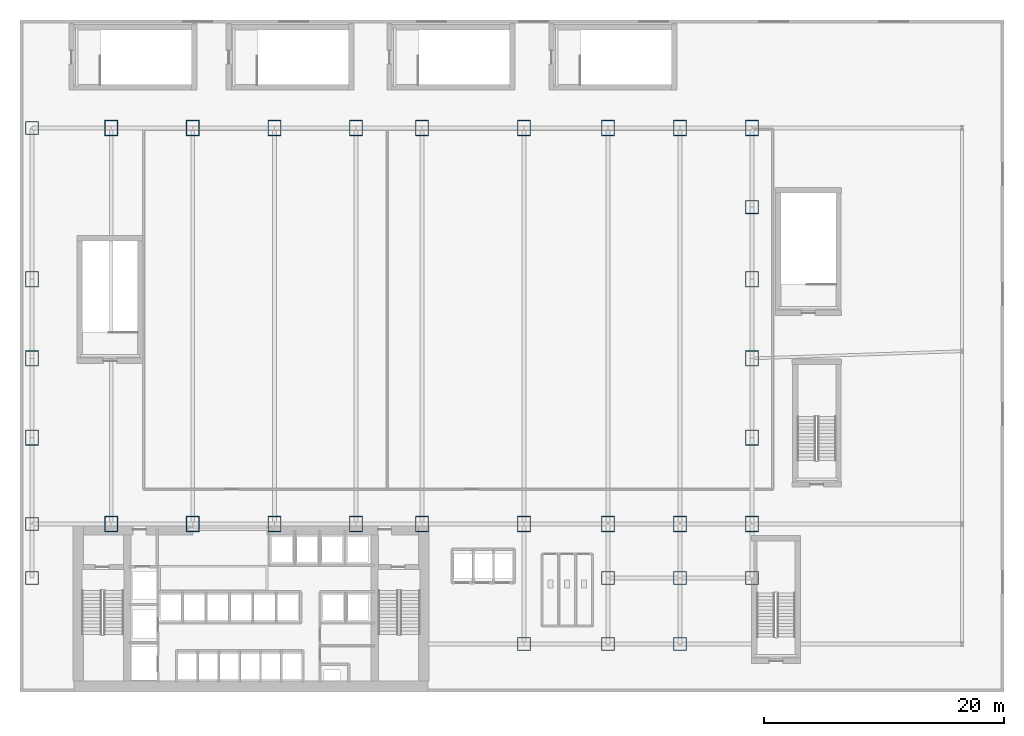
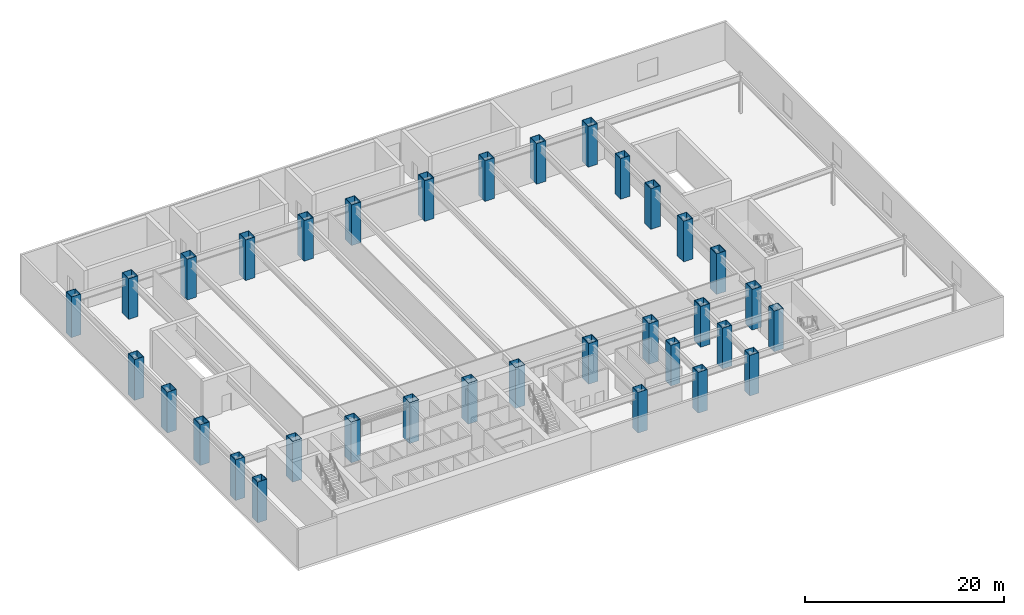
# One storey, part 1 of 14: 34 columns.
"""IFC4 building model written with IfcOpenShell, lengths in metres."""

from ifc_helpers import new_model, si_unit, derived_unit, direction, frame, origin, origin_2d, place, context, subcontext, project, spatial, hollow_rectangle, extrude, source, transform, mapped, material, material_profile, profile_set, type_object, element, save


model = new_model("IFC4")

# Units and contexts
model_context = context("Model", 3, precision=1e-05, world=origin(), true_north=direction((0.0, 1.0)))
body_context = subcontext(model_context, "Body", "Model", "MODEL_VIEW")
ifc_project = project(units=[si_unit("LENGTHUNIT", "METRE"), si_unit("AREAUNIT", "SQUARE_METRE"), si_unit("VOLUMEUNIT", "CUBIC_METRE"), si_unit("PLANEANGLEUNIT", "RADIAN"), si_unit("MASSUNIT", "GRAM", prefix="KILO"), derived_unit("THERMALTRANSMITTANCEUNIT", [(si_unit("POWERUNIT", "WATT"), 1), (si_unit("LENGTHUNIT", "METRE"), -2), (si_unit("THERMODYNAMICTEMPERATUREUNIT", "KELVIN"), -1)])], contexts=[model_context])

# Site, building, storey
site_placement = place(None, origin())
site = spatial("IfcSite", under=ifc_project, at=site_placement, CompositionType="ELEMENT")
building_placement = place(site_placement, origin())
building = spatial("IfcBuilding", under=site, at=building_placement, Name="Skarnbrae Concourse Arena and Tower", CompositionType="ELEMENT")
storey_placement = place(building_placement, frame((0.0, 0.0, 21.0)))
storey = spatial("IfcBuildingStorey", under=building, at=storey_placement, Name="L04", CompositionType="ELEMENT", Elevation=21.0)

# Columns
ifc_material = material(Name="Steel CSA G40.21 350W", Category="steel")
ifc_material_profile_1 = material_profile(ifc_material, hollow_rectangle(XDim=1.10009765625, YDim=1.10009765625, WallThickness=0.050048828125, at=origin_2d()), Name="BOX1100X1100X50")
ifc_profile_set_1 = profile_set([ifc_material_profile_1], Name="Steel CSA G40.21 350W")
column_type_1 = type_object("IfcColumnType", Name="COL-MEGA-BOX1100", PredefinedType="PILASTER", material=ifc_profile_set_1)
shared_shape_1 = source(origin(), body_context, "Body", "SweptSolid", [
    extrude(hollow_rectangle(XDim=1.10009765625, YDim=1.10009765625, WallThickness=0.050048828125, at=origin_2d()), origin(), (0.0, 0.0, 1.0), 5.0),
])
for number, where, z_axis, x_axis, name in (
    (1, (1.0, 9.5, 0.0), (0.0, 0.0, 1.0), (1.0, 0.0, 0.0), "L04 Podium mega-column MC-W0"),
    (2, (1.0, 14.0, 0.0), (0.0, 0.0, 1.0), (1.0, 0.0, 0.0), "L04 Podium mega-column MC-W1"),
    (3, (1.0, 47.0, 0.0), (0.0, 0.0, 1.0), (1.0, 0.0, 0.0), "L04 Podium mega-column MC-W6"),
    (4, (61.0, 9.5, 0.0), (0.0, 0.0, 1.0), (1.0, 0.0, 0.0), "L04 Podium mega-column MC-E0"),
    (5, (61.0, 40.39990234375, 0.0), (0.0, 0.0, 1.0), (1.0, 0.0, 0.0), "L04 Podium mega-column MC-E4"),
    (6, (49.0, 9.5, 0.0), (0.0, 0.0, 1.0), (1.0, 0.0, 0.0), "L04 Podium mega-column PC-SE8"),
    (7, (55.0, 9.5, 0.0), (0.0, 0.0, 1.0), (1.0, 0.0, 0.0), "L04 Podium mega-column PC-SE9"),
    (8, (42.0, 4.0, 0.0), (0.0, 0.0, 1.0), (1.0, 0.0, 0.0), "L04 Podium mega-column PC-7B"),
    (9, (49.0, 4.0, 0.0), (0.0, 0.0, 1.0), (1.0, 0.0, 0.0), "L04 Podium mega-column PC-8B"),
    (10, (55.0, 4.0, 0.0), (0.0, 0.0, 1.0), (1.0, 0.0, 0.0), "L04 Podium mega-column PC-9B"),
):
    element("IfcColumn", number, at=place(storey_placement, frame(where, z_axis=z_axis, x_axis=x_axis)), inside=storey, type_object=column_type_1, Name=name, PredefinedType="PILASTER", context=body_context, shape_type="MappedRepresentation", body=[
        mapped(shared_shape_1, transform((0.0, 0.0, 0.0))),
    ])
ifc_material_profile_2 = material_profile(ifc_material, hollow_rectangle(XDim=1.10009765625, YDim=1.300048828125, WallThickness=0.054931640625, at=origin_2d()), Name="BOX1300X1100X55")
ifc_profile_set_2 = profile_set([ifc_material_profile_2], Name="Steel CSA G40.21 350W")
column_type_2 = type_object("IfcColumnType", Name="COL-MEGA-BOX1300", PredefinedType="PILASTER", material=ifc_profile_set_2)
shared_shape_2 = source(origin(), body_context, "Body", "SweptSolid", [
    extrude(hollow_rectangle(XDim=1.10009765625, YDim=1.300048828125, WallThickness=0.054931640625, at=origin_2d()), origin(), (0.0, 0.0, 1.0), 5.0),
])
for number, where, z_axis, x_axis, name in (
    (11, (1.0, 21.199951171875, 0.0), (0.0, 0.0, 1.0), (1.0, 0.0, 0.0), "L04 Podium mega-column MC-W2"),
    (12, (1.0, 27.800048828125, 0.0), (0.0, 0.0, 1.0), (1.0, 0.0, 0.0), "L04 Podium mega-column MC-W3"),
    (13, (1.0, 34.39990234375, 0.0), (0.0, 0.0, 1.0), (1.0, 0.0, 0.0), "L04 Podium mega-column MC-W4"),
    (14, (7.60009765625, 14.0, 0.0), (0.0, 0.0, 1.0), (1.0, 0.0, 0.0), "L04 Podium mega-column MC-S2"),
    (15, (14.39990234375, 14.0, 0.0), (0.0, 0.0, 1.0), (1.0, 0.0, 0.0), "L04 Podium mega-column MC-S3"),
    (16, (21.199951171875, 14.0, 0.0), (0.0, 0.0, 1.0), (1.0, 0.0, 0.0), "L04 Podium mega-column MC-S4"),
    (17, (28.0, 14.0, 0.0), (0.0, 0.0, 1.0), (1.0, 0.0, 0.0), "L04 Podium mega-column MC-S5"),
    (18, (33.5, 14.0, 0.0), (0.0, 0.0, 1.0), (1.0, 0.0, 0.0), "L04 Podium mega-column MC-S6"),
    (19, (42.0, 14.0, 0.0), (0.0, 0.0, 1.0), (1.0, 0.0, 0.0), "L04 Podium mega-column MC-S7"),
    (20, (49.0, 14.0, 0.0), (0.0, 0.0, 1.0), (1.0, 0.0, 0.0), "L04 Podium mega-column MC-S8"),
    (21, (55.0, 14.0, 0.0), (0.0, 0.0, 1.0), (1.0, 0.0, 0.0), "L04 Podium mega-column MC-S9"),
    (22, (61.0, 14.0, 0.0), (0.0, 0.0, 1.0), (1.0, 0.0, 0.0), "L04 Podium mega-column MC-S10"),
    (23, (7.60009765625, 47.0, 0.0), (0.0, 0.0, 1.0), (1.0, 0.0, 0.0), "L04 Podium mega-column MC-N2"),
    (24, (14.39990234375, 47.0, 0.0), (0.0, 0.0, 1.0), (1.0, 0.0, 0.0), "L04 Podium mega-column MC-N3"),
    (25, (21.199951171875, 47.0, 0.0), (0.0, 0.0, 1.0), (1.0, 0.0, 0.0), "L04 Podium mega-column MC-N4"),
    (26, (28.0, 47.0, 0.0), (0.0, 0.0, 1.0), (1.0, 0.0, 0.0), "L04 Podium mega-column MC-N5"),
    (27, (33.5, 47.0, 0.0), (0.0, 0.0, 1.0), (1.0, 0.0, 0.0), "L04 Podium mega-column MC-N6"),
    (28, (42.0, 47.0, 0.0), (0.0, 0.0, 1.0), (1.0, 0.0, 0.0), "L04 Podium mega-column MC-N7"),
    (29, (49.0, 47.0, 0.0), (0.0, 0.0, 1.0), (1.0, 0.0, 0.0), "L04 Podium mega-column MC-N8"),
    (30, (55.0, 47.0, 0.0), (0.0, 0.0, 1.0), (1.0, 0.0, 0.0), "L04 Podium mega-column MC-N9"),
    (31, (61.0, 47.0, 0.0), (0.0, 0.0, 1.0), (1.0, 0.0, 0.0), "L04 Podium mega-column MC-N10"),
    (32, (61.0, 21.199951171875, 0.0), (0.0, 0.0, 1.0), (1.0, 0.0, 0.0), "L04 Podium mega-column MC-E1"),
    (33, (61.0, 27.800048828125, 0.0), (0.0, 0.0, 1.0), (1.0, 0.0, 0.0), "L04 Podium mega-column MC-E2"),
    (34, (61.0, 34.39990234375, 0.0), (0.0, 0.0, 1.0), (1.0, 0.0, 0.0), "L04 Podium mega-column MC-E3"),
):
    element("IfcColumn", number, at=place(storey_placement, frame(where, z_axis=z_axis, x_axis=x_axis)), inside=storey, type_object=column_type_2, Name=name, PredefinedType="PILASTER", context=body_context, shape_type="MappedRepresentation", body=[
        mapped(shared_shape_2, transform((0.0, 0.0, 0.0))),
    ])

save(model, "model.ifc")
